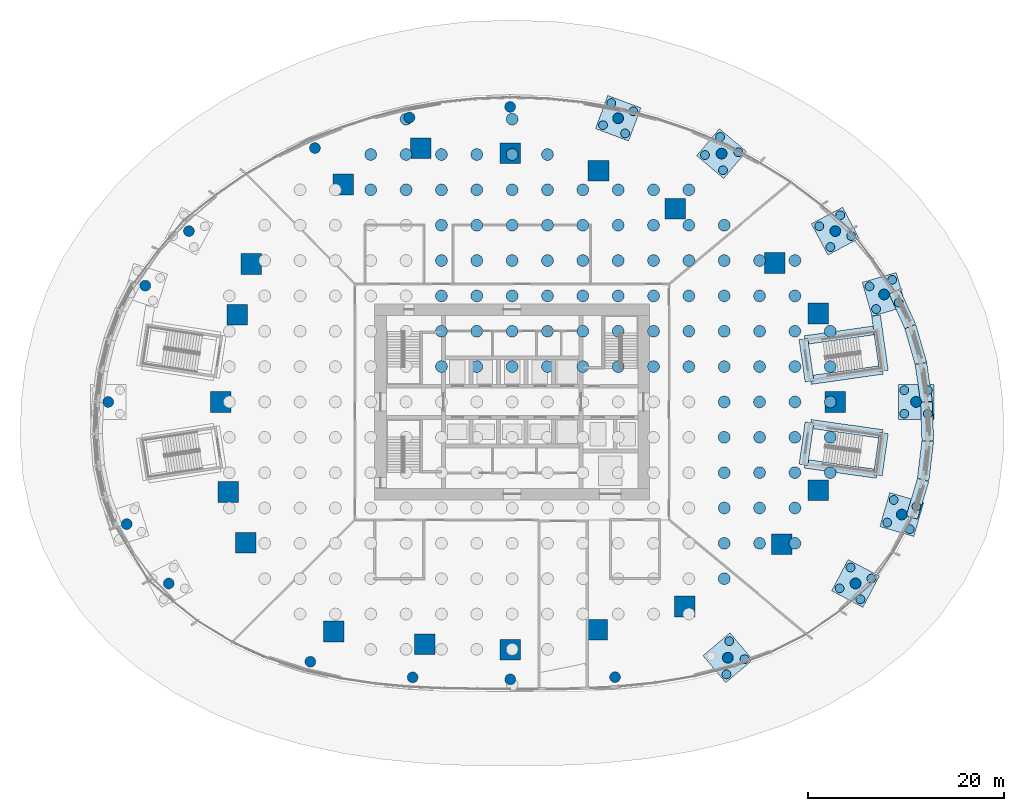
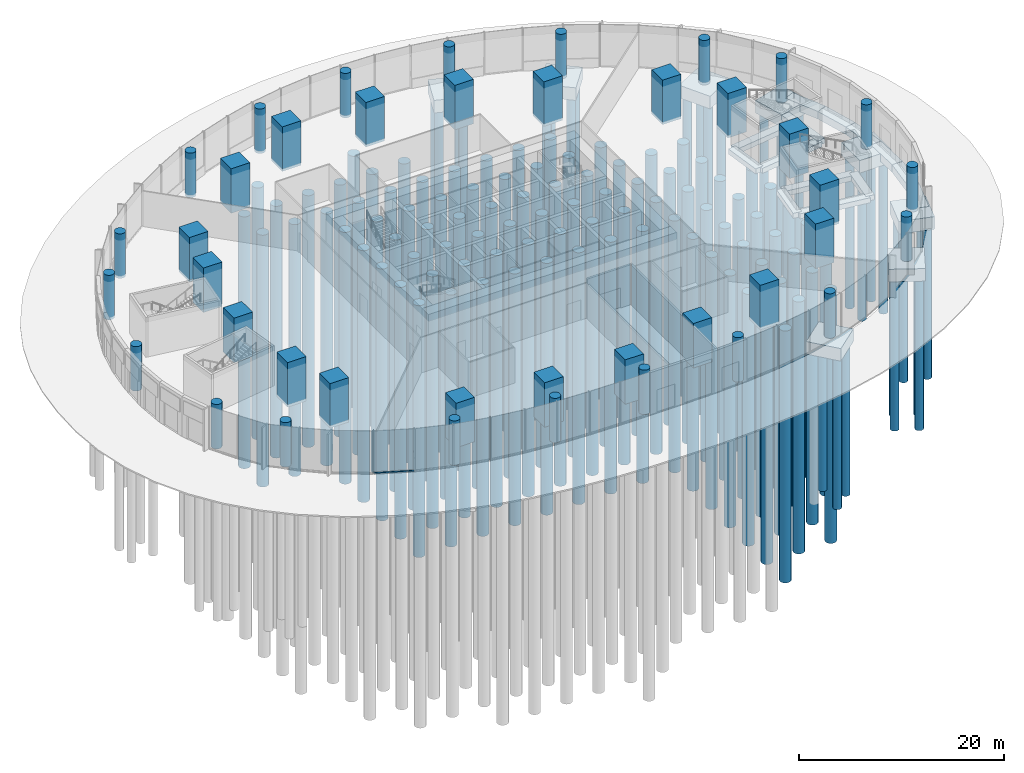
# One storey, part 2 of 29: 123 piles, 40 columns, 22 footings, 1 member, 1 element without a shape of its own.
"""IFC4 building model written with IfcOpenShell, lengths in metres."""

from ifc_helpers import new_model, si_unit, direction, frame, frame_2d, origin, origin_2d, place, context, subcontext, project, spatial, rectangle, circle, extrude, material, layer, layer_set, material_profile, profile_set, type_object, element, aggregate, save


model = new_model("IFC4")

# Units and contexts
model_context = context("Model", 3, precision=1e-05, world=origin(), true_north=direction((0.0, 1.0)))
body_context = subcontext(model_context, "Body", "Model", "MODEL_VIEW")
ifc_project = project(units=[si_unit("LENGTHUNIT", "METRE"), si_unit("AREAUNIT", "SQUARE_METRE"), si_unit("VOLUMEUNIT", "CUBIC_METRE"), si_unit("PLANEANGLEUNIT", "RADIAN"), si_unit("MASSUNIT", "GRAM", prefix="KILO")], contexts=[model_context])

# Site, building, storey
site_placement = place(None, origin())
site = spatial("IfcSite", under=ifc_project, at=site_placement, CompositionType="ELEMENT")
building_placement = place(site_placement, origin())
building = spatial("IfcBuilding", under=site, at=building_placement, Name="Ghaith Harvest Tower", CompositionType="ELEMENT")
storey_placement = place(building_placement, origin())
storey = spatial("IfcBuildingStorey", under=building, at=storey_placement, Name="L00", CompositionType="ELEMENT", Elevation=0.0)

# Piles
ifc_material_1 = material(Name="Concrete C50/60", Category="concrete")
ifc_material_profile_1 = material_profile(ifc_material_1, circle(Radius=0.60009765625, at=origin_2d()), Name="PILE1200")
ifc_profile_set_1 = profile_set([ifc_material_profile_1], Name="Concrete C50/60")
pile_type_1 = type_object("IfcPileType", Name="PILE BP1200", PredefinedType="BORED", material=ifc_profile_set_1)
for number, where, z_axis, x_axis, name in (
    (1, (-14.39990234375, 21.60009765625, -4.14990234375), (0.0, 0.0, -1.0), (1.0, 0.0, 0.0), "Raft pile 58"),
    (2, (-14.39990234375, 25.199951171875, -4.14990234375), (0.0, 0.0, -1.0), (1.0, 0.0, 0.0), "Raft pile 59"),
    (3, (-10.800048828125, 21.60009765625, -4.14990234375), (0.0, 0.0, -1.0), (1.0, 0.0, 0.0), "Raft pile 73"),
    (4, (-10.800048828125, 25.199951171875, -4.14990234375), (0.0, 0.0, -1.0), (1.0, 0.0, 0.0), "Raft pile 74"),
    (5, (-10.800048828125, 28.800048828125, -4.14990234375), (0.0, 0.0, -1.0), (1.0, 0.0, 0.0), "Raft pile 75"),
    (6, (-7.199951171875, 3.60009765625, -4.14990234375), (0.0, 0.0, -1.0), (1.0, 0.0, 0.0), "Raft pile 84"),
    (7, (-7.199951171875, 7.199951171875, -4.14990234375), (0.0, 0.0, -1.0), (1.0, 0.0, 0.0), "Raft pile 85"),
    (8, (-7.199951171875, 10.800048828125, -4.14990234375), (0.0, 0.0, -1.0), (1.0, 0.0, 0.0), "Raft pile 86"),
    (9, (-7.199951171875, 14.39990234375, -4.14990234375), (0.0, 0.0, -1.0), (1.0, 0.0, 0.0), "Raft pile 87"),
    (10, (-7.199951171875, 18.0, -4.14990234375), (0.0, 0.0, -1.0), (1.0, 0.0, 0.0), "Raft pile 88"),
    (11, (-7.199951171875, 21.60009765625, -4.14990234375), (0.0, 0.0, -1.0), (1.0, 0.0, 0.0), "Raft pile 89"),
    (12, (-7.199951171875, 25.199951171875, -4.14990234375), (0.0, 0.0, -1.0), (1.0, 0.0, 0.0), "Raft pile 90"),
    (13, (-3.60009765625, 3.60009765625, -4.14990234375), (0.0, 0.0, -1.0), (1.0, 0.0, 0.0), "Raft pile 99"),
    (14, (-3.60009765625, 7.199951171875, -4.14990234375), (0.0, 0.0, -1.0), (1.0, 0.0, 0.0), "Raft pile 100"),
    (15, (-3.60009765625, 10.800048828125, -4.14990234375), (0.0, 0.0, -1.0), (1.0, 0.0, 0.0), "Raft pile 101"),
    (16, (-3.60009765625, 14.39990234375, -4.14990234375), (0.0, 0.0, -1.0), (1.0, 0.0, 0.0), "Raft pile 102"),
    (17, (-3.60009765625, 18.0, -4.14990234375), (0.0, 0.0, -1.0), (1.0, 0.0, 0.0), "Raft pile 103"),
    (18, (-3.60009765625, 21.60009765625, -4.14990234375), (0.0, 0.0, -1.0), (1.0, 0.0, 0.0), "Raft pile 104"),
    (19, (-3.60009765625, 25.199951171875, -4.14990234375), (0.0, 0.0, -1.0), (1.0, 0.0, 0.0), "Raft pile 105"),
    (20, (0.0, 3.60009765625, -4.14990234375), (0.0, 0.0, -1.0), (1.0, 0.0, 0.0), "Raft pile 115"),
    (21, (0.0, 7.199951171875, -4.14990234375), (0.0, 0.0, -1.0), (1.0, 0.0, 0.0), "Raft pile 116"),
    (22, (0.0, 10.800048828125, -4.14990234375), (0.0, 0.0, -1.0), (1.0, 0.0, 0.0), "Raft pile 117"),
    (23, (0.0, 14.39990234375, -4.14990234375), (0.0, 0.0, -1.0), (1.0, 0.0, 0.0), "Raft pile 118"),
    (24, (0.0, 18.0, -4.14990234375), (0.0, 0.0, -1.0), (1.0, 0.0, 0.0), "Raft pile 119"),
    (25, (0.0, 21.60009765625, -4.14990234375), (0.0, 0.0, -1.0), (1.0, 0.0, 0.0), "Raft pile 120"),
    (26, (0.0, 25.199951171875, -4.14990234375), (0.0, 0.0, -1.0), (1.0, 0.0, 0.0), "Raft pile 121"),
    (27, (0.0, 28.800048828125, -4.14990234375), (0.0, 0.0, -1.0), (1.0, 0.0, 0.0), "Raft pile 122"),
    (28, (3.60009765625, 3.60009765625, -4.14990234375), (0.0, 0.0, -1.0), (1.0, 0.0, 0.0), "Raft pile 131"),
    (29, (3.60009765625, 7.199951171875, -4.14990234375), (0.0, 0.0, -1.0), (1.0, 0.0, 0.0), "Raft pile 132"),
    (30, (3.60009765625, 10.800048828125, -4.14990234375), (0.0, 0.0, -1.0), (1.0, 0.0, 0.0), "Raft pile 133"),
    (31, (3.60009765625, 14.39990234375, -4.14990234375), (0.0, 0.0, -1.0), (1.0, 0.0, 0.0), "Raft pile 134"),
    (32, (3.60009765625, 18.0, -4.14990234375), (0.0, 0.0, -1.0), (1.0, 0.0, 0.0), "Raft pile 135"),
    (33, (3.60009765625, 21.60009765625, -4.14990234375), (0.0, 0.0, -1.0), (1.0, 0.0, 0.0), "Raft pile 136"),
    (34, (3.60009765625, 25.199951171875, -4.14990234375), (0.0, 0.0, -1.0), (1.0, 0.0, 0.0), "Raft pile 137"),
    (35, (7.199951171875, 3.60009765625, -4.14990234375), (0.0, 0.0, -1.0), (1.0, 0.0, 0.0), "Raft pile 145"),
    (36, (7.199951171875, 7.199951171875, -4.14990234375), (0.0, 0.0, -1.0), (1.0, 0.0, 0.0), "Raft pile 146"),
    (37, (7.199951171875, 10.800048828125, -4.14990234375), (0.0, 0.0, -1.0), (1.0, 0.0, 0.0), "Raft pile 147"),
    (38, (7.199951171875, 14.39990234375, -4.14990234375), (0.0, 0.0, -1.0), (1.0, 0.0, 0.0), "Raft pile 148"),
    (39, (7.199951171875, 18.0, -4.14990234375), (0.0, 0.0, -1.0), (1.0, 0.0, 0.0), "Raft pile 149"),
    (40, (7.199951171875, 21.60009765625, -4.14990234375), (0.0, 0.0, -1.0), (1.0, 0.0, 0.0), "Raft pile 150"),
    (41, (10.800048828125, 3.60009765625, -4.14990234375), (0.0, 0.0, -1.0), (1.0, 0.0, 0.0), "Raft pile 158"),
    (42, (10.800048828125, 7.199951171875, -4.14990234375), (0.0, 0.0, -1.0), (1.0, 0.0, 0.0), "Raft pile 159"),
    (43, (10.800048828125, 10.800048828125, -4.14990234375), (0.0, 0.0, -1.0), (1.0, 0.0, 0.0), "Raft pile 160"),
    (44, (10.800048828125, 14.39990234375, -4.14990234375), (0.0, 0.0, -1.0), (1.0, 0.0, 0.0), "Raft pile 161"),
    (45, (10.800048828125, 18.0, -4.14990234375), (0.0, 0.0, -1.0), (1.0, 0.0, 0.0), "Raft pile 162"),
    (46, (10.800048828125, 21.60009765625, -4.14990234375), (0.0, 0.0, -1.0), (1.0, 0.0, 0.0), "Raft pile 163"),
    (47, (14.39990234375, 3.60009765625, -4.14990234375), (0.0, 0.0, -1.0), (1.0, 0.0, 0.0), "Raft pile 171"),
    (48, (14.39990234375, 7.199951171875, -4.14990234375), (0.0, 0.0, -1.0), (1.0, 0.0, 0.0), "Raft pile 172"),
    (49, (14.39990234375, 10.800048828125, -4.14990234375), (0.0, 0.0, -1.0), (1.0, 0.0, 0.0), "Raft pile 173"),
    (50, (14.39990234375, 14.39990234375, -4.14990234375), (0.0, 0.0, -1.0), (1.0, 0.0, 0.0), "Raft pile 174"),
    (51, (14.39990234375, 18.0, -4.14990234375), (0.0, 0.0, -1.0), (1.0, 0.0, 0.0), "Raft pile 175"),
    (52, (14.39990234375, 21.60009765625, -4.14990234375), (0.0, 0.0, -1.0), (1.0, 0.0, 0.0), "Raft pile 176"),
    (53, (18.0, 3.60009765625, -4.14990234375), (0.0, 0.0, -1.0), (1.0, 0.0, 0.0), "Raft pile 184"),
    (54, (18.0, 7.199951171875, -4.14990234375), (0.0, 0.0, -1.0), (1.0, 0.0, 0.0), "Raft pile 185"),
    (55, (18.0, 10.800048828125, -4.14990234375), (0.0, 0.0, -1.0), (1.0, 0.0, 0.0), "Raft pile 186"),
    (56, (18.0, 14.39990234375, -4.14990234375), (0.0, 0.0, -1.0), (1.0, 0.0, 0.0), "Raft pile 187"),
    (57, (18.0, 18.0, -4.14990234375), (0.0, 0.0, -1.0), (1.0, 0.0, 0.0), "Raft pile 188"),
    (58, (18.0, 21.60009765625, -4.14990234375), (0.0, 0.0, -1.0), (1.0, 0.0, 0.0), "Raft pile 189"),
    (59, (21.60009765625, -18.0, -4.14990234375), (0.0, 0.0, -1.0), (1.0, 0.0, 0.0), "Raft pile 190"),
    (60, (21.60009765625, -14.39990234375, -4.14990234375), (0.0, 0.0, -1.0), (1.0, 0.0, 0.0), "Raft pile 191"),
    (61, (21.60009765625, -10.800048828125, -4.14990234375), (0.0, 0.0, -1.0), (1.0, 0.0, 0.0), "Raft pile 192"),
    (62, (21.60009765625, -7.199951171875, -4.14990234375), (0.0, 0.0, -1.0), (1.0, 0.0, 0.0), "Raft pile 193"),
    (63, (21.60009765625, -3.60009765625, -4.14990234375), (0.0, 0.0, -1.0), (1.0, 0.0, 0.0), "Raft pile 194"),
    (64, (21.60009765625, 0.0, -4.14990234375), (0.0, 0.0, -1.0), (1.0, 0.0, 0.0), "Raft pile 195"),
    (65, (21.60009765625, 3.60009765625, -4.14990234375), (0.0, 0.0, -1.0), (1.0, 0.0, 0.0), "Raft pile 196"),
    (66, (21.60009765625, 7.199951171875, -4.14990234375), (0.0, 0.0, -1.0), (1.0, 0.0, 0.0), "Raft pile 197"),
    (67, (21.60009765625, 10.800048828125, -4.14990234375), (0.0, 0.0, -1.0), (1.0, 0.0, 0.0), "Raft pile 198"),
    (68, (21.60009765625, 14.39990234375, -4.14990234375), (0.0, 0.0, -1.0), (1.0, 0.0, 0.0), "Raft pile 199"),
    (69, (21.60009765625, 18.0, -4.14990234375), (0.0, 0.0, -1.0), (1.0, 0.0, 0.0), "Raft pile 200"),
    (70, (25.199951171875, -14.39990234375, -4.14990234375), (0.0, 0.0, -1.0), (1.0, 0.0, 0.0), "Raft pile 201"),
    (71, (25.199951171875, -10.800048828125, -4.14990234375), (0.0, 0.0, -1.0), (1.0, 0.0, 0.0), "Raft pile 202"),
    (72, (25.199951171875, -7.199951171875, -4.14990234375), (0.0, 0.0, -1.0), (1.0, 0.0, 0.0), "Raft pile 203"),
    (73, (25.199951171875, -3.60009765625, -4.14990234375), (0.0, 0.0, -1.0), (1.0, 0.0, 0.0), "Raft pile 204"),
    (74, (25.199951171875, 0.0, -4.14990234375), (0.0, 0.0, -1.0), (1.0, 0.0, 0.0), "Raft pile 205"),
    (75, (25.199951171875, 3.60009765625, -4.14990234375), (0.0, 0.0, -1.0), (1.0, 0.0, 0.0), "Raft pile 206"),
    (76, (25.199951171875, 7.199951171875, -4.14990234375), (0.0, 0.0, -1.0), (1.0, 0.0, 0.0), "Raft pile 207"),
    (77, (25.199951171875, 10.800048828125, -4.14990234375), (0.0, 0.0, -1.0), (1.0, 0.0, 0.0), "Raft pile 208"),
    (78, (25.199951171875, 14.39990234375, -4.14990234375), (0.0, 0.0, -1.0), (1.0, 0.0, 0.0), "Raft pile 209"),
    (79, (28.800048828125, -14.39990234375, -4.14990234375), (0.0, 0.0, -1.0), (1.0, 0.0, 0.0), "Raft pile 210"),
    (80, (28.800048828125, -10.800048828125, -4.14990234375), (0.0, 0.0, -1.0), (1.0, 0.0, 0.0), "Raft pile 211"),
    (81, (28.800048828125, -7.199951171875, -4.14990234375), (0.0, 0.0, -1.0), (1.0, 0.0, 0.0), "Raft pile 212"),
    (82, (28.800048828125, -3.60009765625, -4.14990234375), (0.0, 0.0, -1.0), (1.0, 0.0, 0.0), "Raft pile 213"),
    (83, (28.800048828125, 0.0, -4.14990234375), (0.0, 0.0, -1.0), (1.0, 0.0, 0.0), "Raft pile 214"),
    (84, (28.800048828125, 3.60009765625, -4.14990234375), (0.0, 0.0, -1.0), (1.0, 0.0, 0.0), "Raft pile 215"),
    (85, (28.800048828125, 7.199951171875, -4.14990234375), (0.0, 0.0, -1.0), (1.0, 0.0, 0.0), "Raft pile 216"),
    (86, (28.800048828125, 10.800048828125, -4.14990234375), (0.0, 0.0, -1.0), (1.0, 0.0, 0.0), "Raft pile 217"),
    (87, (28.800048828125, 14.39990234375, -4.14990234375), (0.0, 0.0, -1.0), (1.0, 0.0, 0.0), "Raft pile 218"),
    (88, (32.39990234375, -7.199951171875, -4.14990234375), (0.0, 0.0, -1.0), (1.0, 0.0, 0.0), "Raft pile 219"),
    (89, (32.39990234375, -3.60009765625, -4.14990234375), (0.0, 0.0, -1.0), (1.0, 0.0, 0.0), "Raft pile 220"),
    (90, (32.39990234375, 0.0, -4.14990234375), (0.0, 0.0, -1.0), (1.0, 0.0, 0.0), "Raft pile 221"),
    (91, (32.39990234375, 3.60009765625, -4.14990234375), (0.0, 0.0, -1.0), (1.0, 0.0, 0.0), "Raft pile 222"),
    (92, (32.39990234375, 7.199951171875, -4.14990234375), (0.0, 0.0, -1.0), (1.0, 0.0, 0.0), "Raft pile 223"),
):
    element("IfcPile", number, at=place(storey_placement, frame(where, z_axis=z_axis, x_axis=x_axis)), inside=storey, type_object=pile_type_1, Name=name, PredefinedType="BORED", context=body_context, shape_type="SweptSolid", body=[
        extrude(circle(Radius=0.60009765625, at=origin_2d()), origin(), (0.0, 0.0, 1.0), 30.0),
    ])
ifc_material_2 = material(Name="Concrete C50/60", Category="concrete")
ifc_material_profile_2 = material_profile(ifc_material_2, circle(Radius=0.449951171875, at=origin_2d()), Name="PILE900")
ifc_profile_set_2 = profile_set([ifc_material_profile_2], Name="Concrete C50/60")
pile_type_2 = type_object("IfcPileType", Name="PILE BP900", PredefinedType="BORED", material=ifc_profile_set_2)
for number, where, z_axis, x_axis, name in (
    (93, (39.941162109375, -1.199951171875, -1.699951171875), (0.0, 0.0, -1.0), (1.0, 0.0, 0.0), "Pile 1 of cap PC4 at column P01"),
    (94, (42.341064453125, -1.199951171875, -1.699951171875), (0.0, 0.0, -1.0), (1.0, 0.0, 0.0), "Pile 2 of cap PC4 at column P01"),
    (95, (42.341064453125, 1.199951171875, -1.699951171875), (0.0, 0.0, -1.0), (1.0, 0.0, 0.0), "Pile 3 of cap PC4 at column P01"),
    (96, (39.941162109375, 1.199951171875, -1.699951171875), (0.0, 0.0, -1.0), (1.0, 0.0, 0.0), "Pile 4 of cap PC4 at column P01"),
    (97, (37.064697265625, 9.46337890625, -1.699951171875), (0.0, 0.0, -1.0), (1.0, 0.0, 0.0), "Pile 1 of cap PC4 at column P02"),
    (98, (39.37060546875, 10.1298828125, -1.699951171875), (0.0, 0.0, -1.0), (1.0, 0.0, 0.0), "Pile 2 of cap PC4 at column P02"),
    (99, (38.7041015625, 12.435302734375, -1.699951171875), (0.0, 0.0, -1.0), (1.0, 0.0, 0.0), "Pile 3 of cap PC4 at column P02"),
    (100, (36.3984375, 11.76904296875, -1.699951171875), (0.0, 0.0, -1.0), (1.0, 0.0, 0.0), "Pile 4 of cap PC4 at column P02"),
    (101, (32.40966796875, 15.7734375, -1.699951171875), (0.0, 0.0, -1.0), (1.0, 0.0, 0.0), "Pile 1 of cap PC4 at column P03"),
    (102, (34.531494140625, 16.89501953125, -1.699951171875), (0.0, 0.0, -1.0), (1.0, 0.0, 0.0), "Pile 2 of cap PC4 at column P03"),
    (103, (33.409912109375, 19.016845703125, -1.699951171875), (0.0, 0.0, -1.0), (1.0, 0.0, 0.0), "Pile 3 of cap PC4 at column P03"),
    (104, (31.2880859375, 17.895263671875, -1.699951171875), (0.0, 0.0, -1.0), (1.0, 0.0, 0.0), "Pile 4 of cap PC4 at column P03"),
    (105, (21.47216796875, 23.601318359375, -1.699951171875), (0.0, 0.0, -1.0), (1.0, 0.0, 0.0), "Pile 1 of cap PC4 at column P04"),
    (106, (23.019287109375, 25.436279296875, -1.699951171875), (0.0, 0.0, -1.0), (1.0, 0.0, 0.0), "Pile 2 of cap PC4 at column P04"),
    (107, (21.1845703125, 26.9833984375, -1.699951171875), (0.0, 0.0, -1.0), (1.0, 0.0, 0.0), "Pile 3 of cap PC4 at column P04"),
    (108, (19.637451171875, 25.148681640625, -1.699951171875), (0.0, 0.0, -1.0), (1.0, 0.0, 0.0), "Pile 4 of cap PC4 at column P04"),
    (109, (11.5048828125, 27.34814453125, -1.699951171875), (0.0, 0.0, -1.0), (1.0, 0.0, 0.0), "Pile 1 of cap PC4 at column P05"),
    (110, (12.34521484375, 29.59619140625, -1.699951171875), (0.0, 0.0, -1.0), (1.0, 0.0, 0.0), "Pile 2 of cap PC4 at column P05"),
    (111, (10.09716796875, 30.436767578125, -1.699951171875), (0.0, 0.0, -1.0), (1.0, 0.0, 0.0), "Pile 3 of cap PC4 at column P05"),
    (112, (9.2568359375, 28.188720703125, -1.699951171875), (0.0, 0.0, -1.0), (1.0, 0.0, 0.0), "Pile 4 of cap PC4 at column P05"),
    (113, (21.825439453125, -27.743408203125, -1.699951171875), (0.0, 0.0, -1.0), (1.0, 0.0, 0.0), "Pile 2 of cap PC4 at column P18"),
    (114, (23.66015625, -26.196044921875, -1.699951171875), (0.0, 0.0, -1.0), (1.0, 0.0, 0.0), "Pile 3 of cap PC4 at column P18"),
    (115, (22.113037109375, -24.361328125, -1.699951171875), (0.0, 0.0, -1.0), (1.0, 0.0, 0.0), "Pile 4 of cap PC4 at column P18"),
    (116, (33.3486328125, -18.984619140625, -1.699951171875), (0.0, 0.0, -1.0), (1.0, 0.0, 0.0), "Pile 1 of cap PC4 at column P19"),
    (117, (35.470458984375, -20.10595703125, -1.699951171875), (0.0, 0.0, -1.0), (1.0, 0.0, 0.0), "Pile 2 of cap PC4 at column P19"),
    (118, (36.592041015625, -17.984130859375, -1.699951171875), (0.0, 0.0, -1.0), (1.0, 0.0, 0.0), "Pile 3 of cap PC4 at column P19"),
    (119, (34.47021484375, -16.86279296875, -1.699951171875), (0.0, 0.0, -1.0), (1.0, 0.0, 0.0), "Pile 4 of cap PC4 at column P19"),
    (120, (38.195068359375, -12.288330078125, -1.699951171875), (0.0, 0.0, -1.0), (1.0, 0.0, 0.0), "Pile 1 of cap PC4 at column P20"),
    (121, (40.500732421875, -12.95458984375, -1.699951171875), (0.0, 0.0, -1.0), (1.0, 0.0, 0.0), "Pile 2 of cap PC4 at column P20"),
    (122, (41.1669921875, -10.64892578125, -1.699951171875), (0.0, 0.0, -1.0), (1.0, 0.0, 0.0), "Pile 3 of cap PC4 at column P20"),
    (123, (38.861328125, -9.982666015625, -1.699951171875), (0.0, 0.0, -1.0), (1.0, 0.0, 0.0), "Pile 4 of cap PC4 at column P20"),
):
    element("IfcPile", number, at=place(storey_placement, frame(where, z_axis=z_axis, x_axis=x_axis)), inside=storey, type_object=pile_type_2, Name=name, PredefinedType="BORED", context=body_context, shape_type="SweptSolid", body=[
        extrude(circle(Radius=0.449951171875, at=origin_2d()), origin(), (0.0, 0.0, 1.0), 18.0),
    ])

# Footings
ifc_material_3 = material(Name="Concrete C40/50", Category="concrete")
ifc_layer_1 = layer(ifc_material_3, 1.5)
ifc_layer_set_1 = layer_set([ifc_layer_1], Name="PILE CAP PC4")
footing_type_1 = type_object("IfcFootingType", Name="PILE CAP PC4", PredefinedType="PILE_CAP", material=ifc_layer_set_1)
for number, where, z_axis, x_axis, name in (
    (124, (41.14111328125, 0.0, -1.800048828125), (0.0, 0.0, 1.0), (1.0, 0.0, 0.0), "Pile cap PC4 at column P01"),
    (125, (37.884521484375, 10.949462890625, -1.800048828125), (0.0, 0.0, 1.0), (0.960680349985, 0.277656739792, 0.0), "Pile cap PC4 at column P02"),
    (126, (32.90966796875, 17.395263671875, -1.800048828125), (0.0, 0.0, 1.0), (0.884094940338, 0.467307325504, 0.0), "Pile cap PC4 at column P03"),
    (127, (21.328369140625, 25.29248046875, -1.800048828125), (0.0, 0.0, 1.0), (0.644657240203, 0.764471740913, 0.0), "Pile cap PC4 at column P04"),
    (128, (10.801025390625, 28.892333984375, -1.800048828125), (0.0, 0.0, 1.0), (0.35016769709, 0.936687025593, 0.0), "Pile cap PC4 at column P05"),
    (129, (21.96923828125, -26.05224609375, -1.800048828125), (0.0, 0.0, 1.0), (0.644657240069, -0.764471741025, 0.0), "Pile cap PC4 at column P18"),
    (130, (34.970458984375, -18.484375, -1.800048828125), (0.0, 0.0, 1.0), (0.884094940248, -0.467307325673, 0.0), "Pile cap PC4 at column P19"),
    (131, (39.68115234375, -11.46875, -1.800048828125), (0.0, 0.0, 1.0), (0.960680349932, -0.277656739976, 0.0), "Pile cap PC4 at column P20"),
):
    element("IfcFooting", number, at=place(storey_placement, frame(where, z_axis=z_axis, x_axis=x_axis)), inside=storey, type_object=footing_type_1, Name=name, PredefinedType="PILE_CAP", context=body_context, shape_type="SweptSolid", body=[
        extrude(rectangle(XDim=3.60009765625, YDim=3.60009765625, at=origin_2d()), origin(), (0.0, 0.0, 1.0), 1.5),
    ])
ifc_material_4 = material(Name="Concrete C40/50", Category="concrete")
ifc_layer_2 = layer(ifc_material_4, 0.89990234375)
ifc_layer_set_2 = layer_set([ifc_layer_2], Name="PORTAL STRIP FOOTING 1200")
footing_type_2 = type_object("IfcFootingType", Name="PORTAL STRIP FOOTING 1200", PredefinedType="STRIP_FOOTING", material=ifc_layer_set_2)
footing_1_placement = place(storey_placement, frame((42.199951171875, 0.0, -1.199951171875), z_axis=(0.0, 0.0, 1.0), x_axis=(-0.143450967236, 0.989657425577, 0.0)))
element("IfcFooting", 132, at=footing_1_placement, inside=storey, type_object=footing_type_2, Name="Strip footing under portal wall 01.1", PredefinedType="STRIP_FOOTING", context=body_context, shape_type="SweptSolid", body=[
    extrude(rectangle(XDim=3.95703125, YDim=1.199951171875, at=frame_2d((1.978515625, 0.0))), origin(), (0.0, 0.0, 1.0), 0.89990234375),
])
footing_2_placement = place(storey_placement, frame((41.63232421875, 3.916015625, -1.199951171875), z_axis=(0.0, 0.0, 1.0), x_axis=(-0.276434284574, 0.961032822703, 0.0)))
element("IfcFooting", 133, at=footing_2_placement, inside=storey, type_object=footing_type_2, Name="Strip footing under portal wall 01.2", PredefinedType="STRIP_FOOTING", context=body_context, shape_type="SweptSolid", body=[
    extrude(rectangle(XDim=3.932861328125, YDim=1.199951171875, at=frame_2d((1.96630859375, 0.0))), origin(), (0.0, 0.0, 1.0), 0.89990234375),
])
footing_3_placement = place(storey_placement, frame((40.545166015625, 7.695556640625, -1.199951171875), z_axis=(0.0, 0.0, 1.0), x_axis=(-0.413854746865, 0.910342929064, 0.0)))
element("IfcFooting", 134, at=footing_3_placement, inside=storey, type_object=footing_type_2, Name="Strip footing under portal wall 01.3", PredefinedType="STRIP_FOOTING", context=body_context, shape_type="SweptSolid", body=[
    extrude(rectangle(XDim=3.90576171875, YDim=1.199951171875, at=frame_2d((1.952880859375, 0.0))), origin(), (0.0, 0.0, 1.0), 0.89990234375),
])
footing_4_placement = place(storey_placement, frame((40.70556640625, -11.7646484375, -1.199951171875), z_axis=(0.0, 0.0, 1.0), x_axis=(0.288745356565, 0.957405932226, 0.0)))
element("IfcFooting", 135, at=footing_4_placement, inside=storey, type_object=footing_type_2, Name="Strip footing under portal wall 20.1", PredefinedType="STRIP_FOOTING", context=body_context, shape_type="SweptSolid", body=[
    extrude(rectangle(XDim=3.989990234375, YDim=1.199951171875, at=frame_2d((1.9951171875, 0.0))), origin(), (0.0, 0.0, 1.0), 0.89990234375),
])
footing_5_placement = place(storey_placement, frame((41.857666015625, -7.944580078125, -1.199951171875), z_axis=(0.0, 0.0, 1.0), x_axis=(0.117941453897, 0.993020550368, 0.0)))
element("IfcFooting", 136, at=footing_5_placement, inside=storey, type_object=footing_type_2, Name="Strip footing under portal wall 20.2", PredefinedType="STRIP_FOOTING", context=body_context, shape_type="SweptSolid", body=[
    extrude(rectangle(XDim=3.990966796875, YDim=1.199951171875, at=frame_2d((1.99560546875, 0.0))), origin(), (0.0, 0.0, 1.0), 0.89990234375),
])
footing_6_placement = place(storey_placement, frame((42.328369140625, -3.9814453125, -1.199951171875), z_axis=(0.0, 0.0, 1.0), x_axis=(-0.032237344074, 0.999480241749, 0.0)))
element("IfcFooting", 137, at=footing_6_placement, inside=storey, type_object=footing_type_2, Name="Strip footing under portal wall 20.3", PredefinedType="STRIP_FOOTING", context=body_context, shape_type="SweptSolid", body=[
    extrude(rectangle(XDim=3.9833984375, YDim=1.199951171875, at=frame_2d((1.99169921875, 0.0))), origin(), (0.0, 0.0, 1.0), 0.89990234375),
])
ifc_material_5 = material(Name="Concrete C40/50", Category="concrete")
ifc_layer_3 = layer(ifc_material_5, 0.60009765625)
ifc_layer_set_3 = layer_set([ifc_layer_3], Name="STRIP FOOTING 900")
footing_type_3 = type_object("IfcFootingType", Name="STRIP FOOTING 900", PredefinedType="STRIP_FOOTING", material=ifc_layer_set_3)
footing_7_placement = place(storey_placement, frame((30.281005859375, 2.09130859375, -0.89990234375), z_axis=(0.0, 0.0, 1.0), x_axis=(-0.140250538563, 0.990116046952, 0.0)))
element("IfcFooting", 138, at=footing_7_placement, inside=storey, type_object=footing_type_3, Name="Strip footing PS1 IN", PredefinedType="STRIP_FOOTING", context=body_context, shape_type="SweptSolid", body=[
    extrude(rectangle(XDim=4.35009765625, YDim=0.89990234375, at=frame_2d((2.175048828125, 0.0))), origin(), (0.0, 0.0, 1.0), 0.599853515625),
])
footing_8_placement = place(storey_placement, frame((37.0576171875, 8.7978515625, -0.89990234375), z_axis=(0.0, 0.0, 1.0), x_axis=(0.140177794269, -0.9901263485, 0.0)))
element("IfcFooting", 139, at=footing_8_placement, inside=storey, type_object=footing_type_3, Name="Strip footing PS1 OUT", PredefinedType="STRIP_FOOTING", context=body_context, shape_type="SweptSolid", body=[
    extrude(rectangle(XDim=5.68994140625, YDim=0.89990234375, at=frame_2d((2.844970703125, 0.0))), origin(), (0.0, 0.0, 1.0), 0.599853515625),
])
for number, where, z_axis, x_axis, name in (
    (140, (30.38720703125, 2.232666015625, -0.89990234375), (0.0, 0.0, 1.0), (0.990120977541, 0.140215726052, 0.0), "Strip footing PS1 R"),
    (141, (37.13916015625, 7.329833984375, -0.89990234375), (0.0, 0.0, 1.0), (-0.990120977541, -0.140215726052, 0.0), "Strip footing PS1 L"),
):
    element("IfcFooting", number, at=place(storey_placement, frame(where, z_axis=z_axis, x_axis=x_axis)), inside=storey, type_object=footing_type_3, Name=name, PredefinedType="STRIP_FOOTING", context=body_context, shape_type="SweptSolid", body=[
        extrude(rectangle(XDim=7.39990234375, YDim=0.89990234375, at=frame_2d((3.699951171875, 0.0))), origin(), (0.0, 0.0, 1.0), 0.599853515625),
    ])
for number, where, z_axis, x_axis, name in (
    (142, (29.6708984375, -6.3984375, -0.89990234375), (0.0, 0.0, 1.0), (0.140250538563, 0.990116046952, 0.0), "Strip footing PS4 IN"),
    (143, (37.855224609375, -3.1640625, -0.89990234375), (0.0, 0.0, 1.0), (-0.140195519194, -0.99012383892, 0.0), "Strip footing PS4 OUT"),
):
    element("IfcFooting", number, at=place(storey_placement, frame(where, z_axis=z_axis, x_axis=x_axis)), inside=storey, type_object=footing_type_3, Name=name, PredefinedType="STRIP_FOOTING", context=body_context, shape_type="SweptSolid", body=[
        extrude(rectangle(XDim=4.35009765625, YDim=0.89990234375, at=frame_2d((2.175048828125, 0.0))), origin(), (0.0, 0.0, 1.0), 0.599853515625),
    ])
for number, where, z_axis, x_axis, name in (
    (144, (29.812255859375, -6.292236328125, -0.89990234375), (0.0, 0.0, 1.0), (0.990120977541, -0.140215726052, 0.0), "Strip footing PS4 R"),
    (145, (37.714111328125, -3.270263671875, -0.89990234375), (0.0, 0.0, 1.0), (-0.990120977541, 0.140215726052, 0.0), "Strip footing PS4 L"),
):
    element("IfcFooting", number, at=place(storey_placement, frame(where, z_axis=z_axis, x_axis=x_axis)), inside=storey, type_object=footing_type_3, Name=name, PredefinedType="STRIP_FOOTING", context=body_context, shape_type="SweptSolid", body=[
        extrude(rectangle(XDim=7.39990234375, YDim=0.89990234375, at=frame_2d((3.699951171875, 0.0))), origin(), (0.0, 0.0, 1.0), 0.599853515625),
    ])

# Columns
ifc_material_6 = material(Name="Concrete C70/85", Category="concrete")
ifc_material_profile_3 = material_profile(ifc_material_6, circle(Radius=0.550048828125, at=origin_2d()), Name="RC1100D")
ifc_profile_set_3 = profile_set([ifc_material_profile_3], Name="Concrete C70/85")
column_type_1 = type_object("IfcColumnType", Name="PC1 RC1100D", PredefinedType="COLUMN", material=ifc_profile_set_3)
for number, where, z_axis, x_axis, name in (
    (146, (41.14111328125, 0.0, -0.300048828125), (0.0, 0.0, 1.0), (1.0, 0.0, 0.0), "Podium column P01"),
    (147, (37.884033203125, 10.948974609375, -0.300048828125), (0.0, 0.0, 1.0), (1.0, 0.0, 0.0), "Podium column P02"),
    (148, (32.909912109375, 17.39501953125, -0.300048828125), (0.0, 0.0, 1.0), (1.0, 0.0, 0.0), "Podium column P03"),
    (149, (21.327880859375, 25.2919921875, -0.300048828125), (0.0, 0.0, 1.0), (1.0, 0.0, 0.0), "Podium column P04"),
    (150, (10.801025390625, 28.89208984375, -0.300048828125), (0.0, 0.0, 1.0), (1.0, 0.0, 0.0), "Podium column P05"),
    (151, (-0.2060546875, 30.049072265625, -0.300048828125), (0.0, 0.0, 1.0), (1.0, 0.0, 0.0), "Podium column P06"),
    (152, (-10.4619140625, 28.967041015625, -0.300048828125), (0.0, 0.0, 1.0), (1.0, 0.0, 0.0), "Podium column P07"),
    (153, (-20.08203125, 25.85791015625, -0.300048828125), (0.0, 0.0, 1.0), (1.0, 0.0, 0.0), "Podium column P08"),
    (154, (-32.9150390625, 17.39794921875, -0.300048828125), (0.0, 0.0, 1.0), (1.0, 0.0, 0.0), "Podium column P09"),
    (155, (-37.363037109375, 11.841064453125, -0.300048828125), (0.0, 0.0, 1.0), (1.0, 0.0, 0.0), "Podium column P10"),
    (156, (-41.14208984375, 0.0, -0.300048828125), (0.0, 0.0, 1.0), (1.0, 0.0, 0.0), "Podium column P11"),
    (157, (-39.256103515625, -12.44091796875, -0.300048828125), (0.0, 0.0, 1.0), (1.0, 0.0, 0.0), "Podium column P12"),
    (158, (-34.97509765625, -18.487060546875, -0.300048828125), (0.0, 0.0, 1.0), (1.0, 0.0, 0.0), "Podium column P13"),
    (159, (-20.549072265625, -26.458984375, -0.300048828125), (0.0, 0.0, 1.0), (1.0, 0.0, 0.0), "Podium column P14"),
    (160, (-10.131103515625, -28.050048828125, -0.300048828125), (0.0, 0.0, 1.0), (1.0, 0.0, 0.0), "Podium column P15"),
    (161, (-0.193115234375, -28.25, -0.300048828125), (0.0, 0.0, 1.0), (1.0, 0.0, 0.0), "Podium column P16"),
    (162, (10.47705078125, -28.027099609375, -0.300048828125), (0.0, 0.0, 1.0), (1.0, 0.0, 0.0), "Podium column P17"),
    (163, (21.968994140625, -26.052001953125, -0.300048828125), (0.0, 0.0, 1.0), (1.0, 0.0, 0.0), "Podium column P18"),
    (164, (34.969970703125, -18.48388671875, -0.300048828125), (0.0, 0.0, 1.0), (1.0, 0.0, 0.0), "Podium column P19"),
    (165, (39.680908203125, -11.468994140625, -0.300048828125), (0.0, 0.0, 1.0), (1.0, 0.0, 0.0), "Podium column P20"),
):
    element("IfcColumn", number, at=place(storey_placement, frame(where, z_axis=z_axis, x_axis=x_axis)), inside=storey, type_object=column_type_1, Name=name, PredefinedType="COLUMN", context=body_context, shape_type="SweptSolid", body=[
        extrude(circle(Radius=0.550048828125, at=origin_2d()), origin(), (0.0, 0.0, 1.0), 5.300048828125),
    ])
ifc_material_7 = material(Name="Concrete C70/85", Category="concrete")
ifc_material_profile_4 = material_profile(ifc_material_7, rectangle(XDim=2.10009765625, YDim=2.10009765625, at=origin_2d()), Name="RC2100X2100")
ifc_profile_set_4 = profile_set([ifc_material_profile_4], Name="Concrete C70/85")
column_type_2 = type_object("IfcColumnType", Name="TC1 RC2100X2100", PredefinedType="COLUMN", material=ifc_profile_set_4)
for number, where, z_axis, x_axis, name in (
    (166, (32.925048828125, 0.0, -0.300048828125), (0.0, 0.0, 1.0), (1.0, 0.0, 0.0), "Perimeter column C01"),
    (167, (31.166015625, 9.008056640625, -0.300048828125), (0.0, 0.0, 1.0), (1.0, 0.0, 0.0), "Perimeter column C02"),
    (168, (26.763916015625, 14.14697265625, -0.300048828125), (0.0, 0.0, 1.0), (1.0, 0.0, 0.0), "Perimeter column C03"),
    (169, (16.60791015625, 19.695068359375, -0.300048828125), (0.0, 0.0, 1.0), (1.0, 0.0, 0.0), "Perimeter column C04"),
    (170, (8.794921875, 23.527099609375, -0.300048828125), (0.0, 0.0, 1.0), (1.0, 0.0, 0.0), "Perimeter column C05"),
    (171, (-0.173095703125, 25.326904296875, -0.300048828125), (0.0, 0.0, 1.0), (1.0, 0.0, 0.0), "Perimeter column C06"),
    (172, (-9.325927734375, 25.821044921875, -0.300048828125), (0.0, 0.0, 1.0), (1.0, 0.0, 0.0), "Perimeter column C07"),
    (173, (-17.201904296875, 22.14990234375, -0.300048828125), (0.0, 0.0, 1.0), (1.0, 0.0, 0.0), "Perimeter column C08"),
    (174, (-26.572998046875, 14.0458984375, -0.300048828125), (0.0, 0.0, 1.0), (1.0, 0.0, 0.0), "Perimeter column C09"),
    (175, (-27.98291015625, 8.867919921875, -0.300048828125), (0.0, 0.0, 1.0), (1.0, 0.0, 0.0), "Perimeter column C10"),
    (176, (-29.675048828125, 0.0, -0.300048828125), (0.0, 0.0, 1.0), (1.0, 0.0, 0.0), "Perimeter column C11"),
    (177, (-28.929931640625, -9.16796875, -0.300048828125), (0.0, 0.0, 1.0), (1.0, 0.0, 0.0), "Perimeter column C12"),
    (178, (-27.132080078125, -14.341064453125, -0.300048828125), (0.0, 0.0, 1.0), (1.0, 0.0, 0.0), "Perimeter column C13"),
    (179, (-18.157958984375, -23.3798828125, -0.300048828125), (0.0, 0.0, 1.0), (1.0, 0.0, 0.0), "Perimeter column C14"),
    (180, (-8.908935546875, -24.66796875, -0.300048828125), (0.0, 0.0, 1.0), (1.0, 0.0, 0.0), "Perimeter column C15"),
    (181, (-0.173095703125, -25.22412109375, -0.300048828125), (0.0, 0.0, 1.0), (1.0, 0.0, 0.0), "Perimeter column C16"),
    (182, (8.674072265625, -23.202880859375, -0.300048828125), (0.0, 0.0, 1.0), (1.0, 0.0, 0.0), "Perimeter column C17"),
    (183, (17.572021484375, -20.8369140625, -0.300048828125), (0.0, 0.0, 1.0), (1.0, 0.0, 0.0), "Perimeter column C18"),
    (184, (27.448974609375, -14.509033203125, -0.300048828125), (0.0, 0.0, 1.0), (1.0, 0.0, 0.0), "Perimeter column C19"),
    (185, (31.166015625, -9.008056640625, -0.300048828125), (0.0, 0.0, 1.0), (1.0, 0.0, 0.0), "Perimeter column C20"),
):
    element("IfcColumn", number, at=place(storey_placement, frame(where, z_axis=z_axis, x_axis=x_axis)), inside=storey, type_object=column_type_2, Name=name, PredefinedType="COLUMN", context=body_context, shape_type="SweptSolid", body=[
        extrude(rectangle(XDim=2.10009765625, YDim=2.10009765625, at=origin_2d()), origin(), (0.0, 0.0, 1.0), 5.300048828125),
    ])

# Curtain wall, member
ifc_material_8 = material(Name="Black anodised aluminium and fritted glass", Category="aluminium")
curtain_wall_type = type_object("IfcCurtainWallType", Name="CW-P CURTAIN WALL", PredefinedType="NOTDEFINED", material=ifc_material_8)
curtain_wall_placement = place(storey_placement, origin())
curtain_wall = element("IfcCurtainWall", 186, at=curtain_wall_placement, inside=storey, type_object=curtain_wall_type, Name="Curtain wall CW-P bay 13 L00", PredefinedType="NOTDEFINED")
ifc_material_9 = material(Name="Aluminium, black anodised", Category="aluminium")
ifc_material_profile_5 = material_profile(ifc_material_9, rectangle(XDim=0.179931640625, YDim=0.080078125, at=origin_2d()), Name="CW-P TRANSOM 180x80")
ifc_profile_set_5 = profile_set([ifc_material_profile_5], Name="Aluminium, black anodised")
member_type = type_object("IfcMemberType", Name="CW-P TRANSOM 180x80", PredefinedType="USERDEFINED", material=ifc_profile_set_5)
member_placement = place(storey_placement, frame((-28.482421875, -24.4677734375, 0.0400390625), z_axis=(0.912058610921, -0.410059861782, 0.0), x_axis=(0.410059861782, 0.912058610921, 0.0)))
member = element("IfcMember", 187, at=member_placement, type_object=member_type, Name="CW-P transom 2 bay 13 L00", ObjectType="TRANSOM", PredefinedType="USERDEFINED", context=body_context, shape_type="SweptSolid", body=[
    extrude(rectangle(XDim=0.179931640625, YDim=0.080078125, at=origin_2d()), origin(), (0.0, 0.0, 1.0), 3.93017578125),
])
aggregate(curtain_wall, [member])

save(model, "model.ifc")
